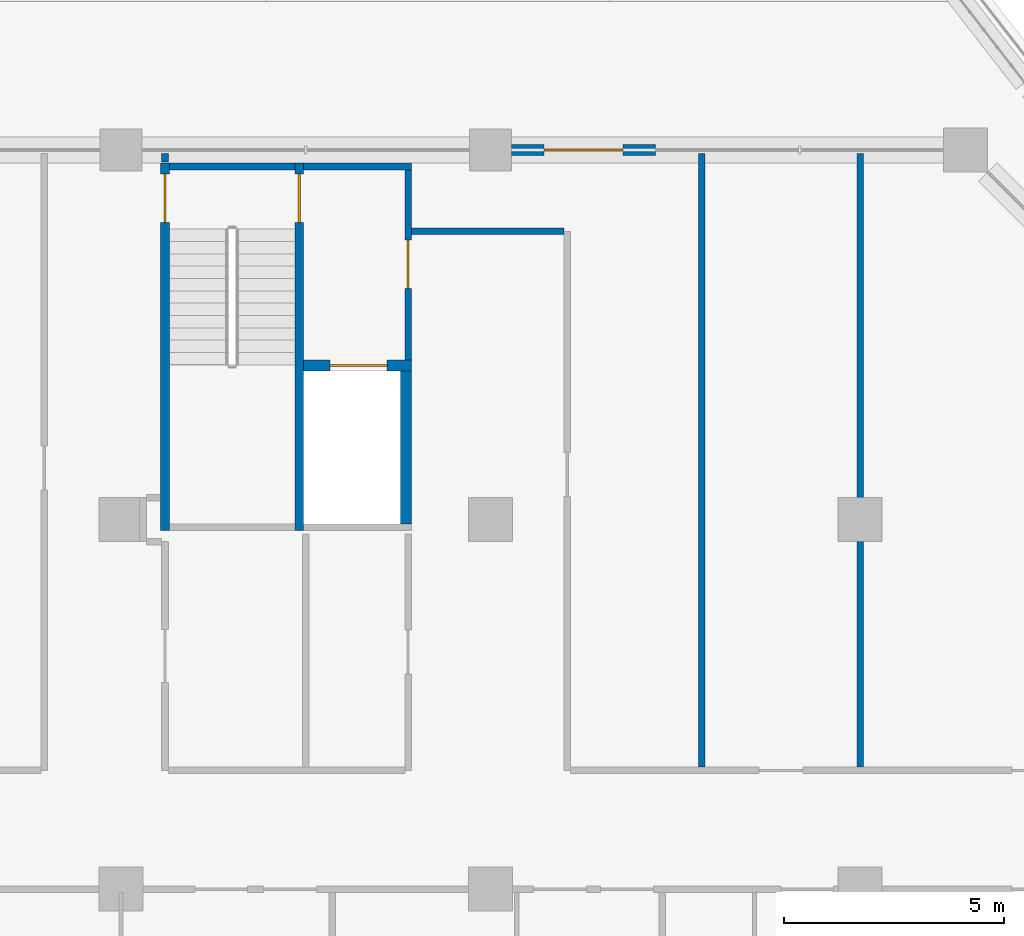
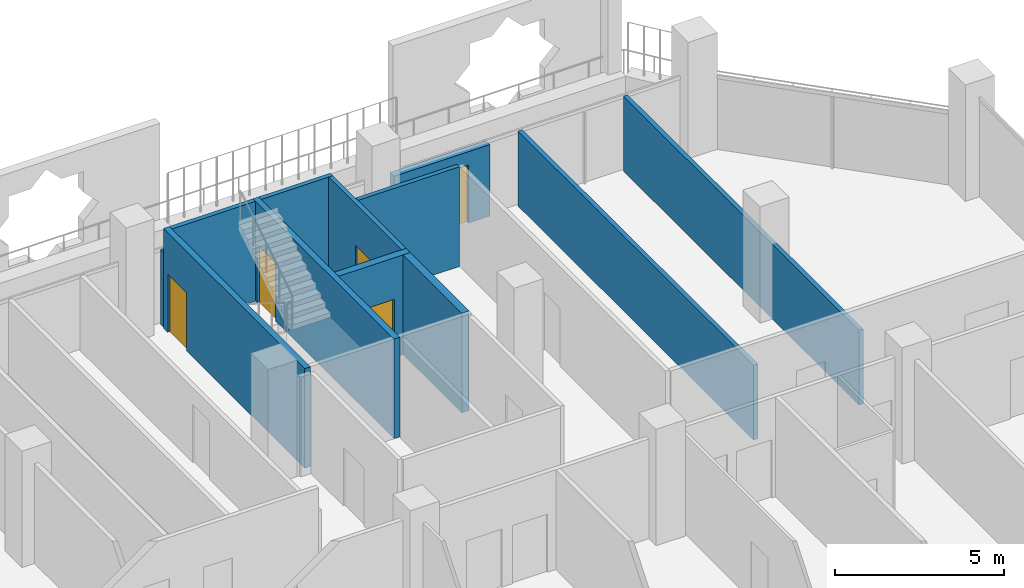
# One storey, part 14 of 22: 12 walls, 5 doors, 5 openings.
"""IFC4 building model written with IfcOpenShell, lengths in metres."""

from ifc_helpers import new_model, si_unit, direction, frame, frame_2d, origin, place, context, subcontext, project, spatial, rectangle, extrude, material, layer, layer_set, type_object, element, fill, save


model = new_model("IFC4")

# Units and contexts
model_context = context("Model", 3, precision=1e-05, world=origin(), true_north=direction((0.0, 1.0)))
body_context = subcontext(model_context, "Body", "Model", "MODEL_VIEW")
ifc_project = project(units=[si_unit("LENGTHUNIT", "METRE"), si_unit("AREAUNIT", "SQUARE_METRE"), si_unit("VOLUMEUNIT", "CUBIC_METRE"), si_unit("PLANEANGLEUNIT", "RADIAN"), si_unit("MASSUNIT", "GRAM", prefix="KILO")], contexts=[model_context])

# Site, building, storey
site_placement = place(None, origin())
site = spatial("IfcSite", under=ifc_project, at=site_placement, CompositionType="ELEMENT")
building_placement = place(site_placement, origin())
building = spatial("IfcBuilding", under=site, at=building_placement, Name="Kawkab Arch Medical Tower", CompositionType="ELEMENT")
storey_placement = place(building_placement, frame((0.0, 0.0, 183.60009765625)))
storey = spatial("IfcBuildingStorey", under=building, at=storey_placement, Name="L42", CompositionType="ELEMENT", Elevation=183.60009765625)

# Wall, opening, door
ifc_material_1 = material(Name="Gypsum board on steel studs", Category="steel")
ifc_layer_1 = layer(ifc_material_1, 0.14990234375)
ifc_layer_set_1 = layer_set([ifc_layer_1], Name="Gypsum board on steel studs")
wall_type_1 = type_object("IfcWallType", Name="Core room partition 150", PredefinedType="PARTITIONING", material=ifc_layer_set_1)
wall_1_placement = place(storey_placement, frame((48.52490234375, -4.77490234375, 0.0), z_axis=(0.0, 0.0, 1.0), x_axis=(0.0, 1.0, 0.0)))
wall_1 = element("IfcWall", 1, at=wall_1_placement, inside=storey, type_object=wall_type_1, Name="L42 core room partition", PredefinedType="PARTITIONING", context=body_context, shape_type="SweptSolid", body=[
    extrude(rectangle(XDim=4.324951171875, YDim=0.14990234375, at=frame_2d((2.16259765625, 0.0))), origin(), (0.0, 0.0, 1.0), 3.599853515625),
])
opening_1_placement = place(wall_1_placement, frame((1.625, 0.0, 0.0)))
opening_1 = element("IfcOpeningElement", 2, at=opening_1_placement, cuts=wall_1, Name="Opening FD", PredefinedType="OPENING", context=body_context, shape_type="SweptSolid", body=[
    extrude(rectangle(XDim=1.10009765625, YDim=2.10009765625, at=frame_2d((0.550048828125, 1.050048828125))), frame((0.0, 0.0849609375, 0.0), z_axis=(0.0, -1.0, 0.0), x_axis=(1.0, 0.0, 0.0)), (0.0, 0.0, 1.0), 0.169921875),
])
ifc_material_2 = material(Name="Hollow metal fire door leaf")
door_type_1 = type_object("IfcDoorType", Name="Firefighting lobby door 1100", OperationType="SINGLE_SWING_LEFT", PredefinedType="DOOR", material=ifc_material_2)
door_1_placement = place(opening_1_placement, origin())
door_1 = element("IfcDoor", 3, at=door_1_placement, inside=storey, type_object=door_type_1, Name="L42 Service lift lobby door SV1", OperationType="SINGLE_SWING_LEFT", OverallHeight=2.10009765625, OverallWidth=1.10009765625, PredefinedType="DOOR", context=body_context, shape_type="SweptSolid", body=[
    extrude(rectangle(XDim=1.10009765625, YDim=2.10009765625, at=frame_2d((0.550048828125, 1.050048828125))), frame((0.0, 0.02490234375, 0.0), z_axis=(0.0, -1.0, 0.0), x_axis=(1.0, 0.0, 0.0)), (0.0, 0.0, 1.0), 0.050048828125),
])
fill(opening_1, door_1)

ifc_material_3 = material(Name="Concrete C60/75", Category="concrete")
ifc_layer_2 = layer(ifc_material_3, 0.25)
ifc_layer_set_2 = layer_set([ifc_layer_2], Name="Concrete C60/75")
wall_type_2 = type_object("IfcWallType", Name="Core shear wall 250 C60/75", PredefinedType="SHEAR", material=ifc_layer_set_2)
wall_2_placement = place(storey_placement, frame((46.14990234375, -4.89990234375, 0.0), z_axis=(0.0, 0.0, 1.0), x_axis=(1.0, 0.0, 0.0)))
wall_2 = element("IfcWall", 4, at=wall_2_placement, inside=storey, type_object=wall_type_2, Name="L42 core shear wall", PredefinedType="SHEAR", context=body_context, shape_type="SweptSolid", body=[
    extrude(rectangle(XDim=2.4501953125, YDim=0.25, at=frame_2d((1.22509765625, 0.0))), origin(), (0.0, 0.0, 1.0), 3.599853515625),
])
opening_2_placement = place(wall_2_placement, frame((0.60009765625, 0.0, 0.0)))
opening_2 = element("IfcOpeningElement", 5, at=opening_2_placement, cuts=wall_2, Name="Opening LD2", PredefinedType="OPENING", context=body_context, shape_type="SweptSolid", body=[
    extrude(rectangle(XDim=1.300048828125, YDim=2.10009765625, at=frame_2d((0.64990234375, 1.050048828125))), frame((0.0, 0.135009765625, 0.0), z_axis=(0.0, -1.0, 0.0), x_axis=(1.0, 0.0, 0.0)), (0.0, 0.0, 1.0), 0.27001953125),
])
ifc_material_4 = material(Name="Stainless steel lift door leaf", Category="steel")
door_type_2 = type_object("IfcDoorType", Name="Lift landing door 1300", OperationType="DOUBLE_DOOR_SLIDING", PredefinedType="DOOR", material=ifc_material_4)
door_2_placement = place(opening_2_placement, origin())
door_2 = element("IfcDoor", 6, at=door_2_placement, inside=storey, type_object=door_type_2, Name="L42 Lift landing door SV1", OperationType="DOUBLE_DOOR_SLIDING", OverallHeight=2.10009765625, OverallWidth=1.300048828125, PredefinedType="DOOR", context=body_context, shape_type="SweptSolid", body=[
    extrude(rectangle(XDim=1.300048828125, YDim=2.10009765625, at=frame_2d((0.64990234375, 1.050048828125))), frame((0.0, 0.02490234375, 0.0), z_axis=(0.0, -1.0, 0.0), x_axis=(1.0, 0.0, 0.0)), (0.0, 0.0, 1.0), 0.050048828125),
])
fill(opening_2, door_2)

# Wall
wall_3_placement = place(storey_placement, frame((48.47509765625, -8.5, 0.0), z_axis=(0.0, 0.0, 1.0), x_axis=(0.0, 1.0, 0.0)))
element("IfcWall", 7, at=wall_3_placement, inside=storey, type_object=wall_type_2, Name="L42 core shear wall", PredefinedType="SHEAR", context=body_context, shape_type="SweptSolid", body=[
    extrude(rectangle(XDim=3.47509765625, YDim=0.25, at=frame_2d((1.737548828125, 0.0))), origin(), (0.0, 0.0, 1.0), 3.599853515625),
])

# Wall, opening, door
ifc_material_5 = material(Name="Bronze clad insulated wall panel")
ifc_layer_3 = layer(ifc_material_5, 0.25)
ifc_layer_set_3 = layer_set([ifc_layer_3], Name="Bronze clad insulated wall panel")
wall_type_3 = type_object("IfcWallType", Name="External wall bay 250", PredefinedType="SOLIDWALL", material=ifc_layer_set_3)
wall_4_placement = place(storey_placement, frame((54.14990234375, 0.0, 0.0), z_axis=(0.0, 0.0, 1.0), x_axis=(-1.0, 0.0, 0.0)))
wall_4 = element("IfcWall", 8, at=wall_4_placement, inside=storey, type_object=wall_type_3, Name="External wall bay L42.R11.1.3", PredefinedType="SOLIDWALL", context=body_context, shape_type="SweptSolid", body=[
    extrude(rectangle(XDim=3.27490234375, YDim=0.25, at=frame_2d((1.637451171875, 0.0))), origin(), (0.0, 0.0, 1.0), 2.579833984375),
])
opening_3_placement = place(wall_4_placement, frame((0.737548828125, 0.0, 0.0)))
opening_3 = element("IfcOpeningElement", 9, at=opening_3_placement, cuts=wall_4, Name="Opening W42-701", PredefinedType="OPENING", context=body_context, shape_type="SweptSolid", body=[
    extrude(rectangle(XDim=1.800048828125, YDim=2.10009765625, at=frame_2d((0.89990234375, 1.050048828125))), frame((0.0, 0.135009765625, 0.0), z_axis=(0.0, -1.0, 0.0), x_axis=(1.0, 0.0, 0.0)), (0.0, 0.0, 1.0), 0.27001953125),
])
ifc_material_6 = material(Name="Bronze anodised aluminium door with tinted glass", Category="aluminium")
door_type_3 = type_object("IfcDoorType", Name="Double external door 1800 x 2100", OperationType="DOUBLE_DOOR_SINGLE_SWING", PredefinedType="DOOR", material=ifc_material_6)
door_3_placement = place(opening_3_placement, origin())
door_3 = element("IfcDoor", 10, at=door_3_placement, inside=storey, type_object=door_type_3, Name="External door L42.R11.1.3", OperationType="DOUBLE_DOOR_SINGLE_SWING", OverallHeight=2.10009765625, OverallWidth=1.800048828125, PredefinedType="DOOR", context=body_context, shape_type="SweptSolid", body=[
    extrude(rectangle(XDim=1.800048828125, YDim=2.10009765625, at=frame_2d((0.89990234375, 1.050048828125))), frame((0.0, 0.02490234375, 0.0), z_axis=(0.0, -1.0, 0.0), x_axis=(1.0, 0.0, 0.0)), (0.0, 0.0, 1.0), 0.050048828125),
])
fill(opening_3, door_3)

# Walls
ifc_material_7 = material(Name="Gypsum board partition on steel studs, mineral wool", Category="steel")
ifc_layer_4 = layer(ifc_material_7, 0.14990234375)
ifc_layer_set_4 = layer_set([ifc_layer_4], Name="Gypsum board partition on steel studs, mineral wool")
wall_type_4 = type_object("IfcWallType", Name="Partition 150", PredefinedType="PARTITIONING", material=ifc_layer_set_4)
wall_5_placement = place(storey_placement, frame((48.60009765625, -1.85009765625, 0.0), z_axis=(0.0, 0.0, 1.0), x_axis=(1.0, 0.0, 0.0)))
element("IfcWall", 11, at=wall_5_placement, inside=storey, type_object=wall_type_4, Name="Partition 150 w030", PredefinedType="PARTITIONING", context=body_context, shape_type="SweptSolid", body=[
    extrude(rectangle(XDim=3.4658203125, YDim=0.14990234375, at=frame_2d((1.73291015625, 0.0))), origin(), (0.0, 0.0, 1.0), 3.599853515625),
])
wall_6_placement = place(storey_placement, frame((43.0, -0.27001953125, 0.0), z_axis=(0.0, 0.0, 1.0), x_axis=(0.0, 1.0, 0.0)))
element("IfcWall", 12, at=wall_6_placement, inside=storey, type_object=wall_type_4, Name="Partition 150 w053", PredefinedType="PARTITIONING", context=body_context, shape_type="SweptSolid", body=[
    extrude(rectangle(XDim=0.18994140625, YDim=0.14990234375, at=frame_2d((0.094970703125, 0.0))), origin(), (0.0, 0.0, 1.0), 2.699951171875),
])
for number, where, z_axis, x_axis, name in (
    (13, (55.199951171875, -14.02490234375, 0.0), (0.0, 0.0, 1.0), (0.0, 1.0, 0.0), "Partition 150 w059"),
    (14, (58.800048828125, -14.02490234375, 0.0), (0.0, 0.0, 1.0), (0.0, 1.0, 0.0), "Partition 150 w061"),
):
    element("IfcWall", number, at=place(storey_placement, frame(where, z_axis=z_axis, x_axis=x_axis)), inside=storey, type_object=wall_type_4, Name=name, PredefinedType="PARTITIONING", context=body_context, shape_type="SweptSolid", body=[
        extrude(rectangle(XDim=13.94482421875, YDim=0.14990234375, at=frame_2d((6.972412109375, 0.0))), origin(), (0.0, 0.0, 1.0), 2.699951171875),
    ])
ifc_material_8 = material(Name="Concrete C50/60", Category="concrete")
ifc_layer_5 = layer(ifc_material_8, 0.14990234375)
ifc_layer_set_5 = layer_set([ifc_layer_5], Name="Concrete C50/60")
wall_type_5 = type_object("IfcWallType", Name="Stair enclosure wall 150 C50/60", PredefinedType="SHEAR", material=ifc_layer_set_5)
wall_7_placement = place(storey_placement, frame((43.10009765625, -0.375, 0.0), z_axis=(0.0, 0.0, 1.0), x_axis=(1.0, 0.0, 0.0)))
element("IfcWall", 15, at=wall_7_placement, inside=storey, type_object=wall_type_5, Name="L42 stair enclosure wall", PredefinedType="SHEAR", context=body_context, shape_type="SweptSolid", body=[
    extrude(rectangle(XDim=2.849853515625, YDim=0.14990234375, at=frame_2d((1.4248046875, 0.0))), origin(), (0.0, 0.0, 1.0), 3.599853515625),
])
wall_8_placement = place(storey_placement, frame((46.14990234375, -0.375, 0.0), z_axis=(0.0, 0.0, 1.0), x_axis=(1.0, 0.0, 0.0)))
element("IfcWall", 16, at=wall_8_placement, inside=storey, type_object=wall_type_5, Name="L42 stair enclosure wall", PredefinedType="SHEAR", context=body_context, shape_type="SweptSolid", body=[
    extrude(rectangle(XDim=2.4501953125, YDim=0.14990234375, at=frame_2d((1.22509765625, 0.0))), origin(), (0.0, 0.0, 1.0), 3.599853515625),
])

# Wall, opening, door
ifc_material_9 = material(Name="Concrete C50/60", Category="concrete")
ifc_layer_6 = layer(ifc_material_9, 0.199951171875)
ifc_layer_set_6 = layer_set([ifc_layer_6], Name="Concrete C50/60")
wall_type_6 = type_object("IfcWallType", Name="Stair enclosure wall 200 C50/60", PredefinedType="SHEAR", material=ifc_layer_set_6)
wall_9_placement = place(storey_placement, frame((43.0, -8.64990234375, 0.0), z_axis=(0.0, 0.0, 1.0), x_axis=(0.0, 1.0, 0.0)))
wall_9 = element("IfcWall", 17, at=wall_9_placement, inside=storey, type_object=wall_type_6, Name="L42 stair enclosure wall", PredefinedType="SHEAR", context=body_context, shape_type="SweptSolid", body=[
    extrude(rectangle(XDim=8.349853515625, YDim=0.199951171875, at=frame_2d((4.1748046875, 0.0))), origin(), (0.0, 0.0, 1.0), 3.599853515625),
])
opening_4_placement = place(wall_9_placement, frame((7.0, 0.0, 0.0)))
opening_4 = element("IfcOpeningElement", 18, at=opening_4_placement, cuts=wall_9, Name="Opening SD", PredefinedType="OPENING", context=body_context, shape_type="SweptSolid", body=[
    extrude(rectangle(XDim=1.10009765625, YDim=2.10009765625, at=frame_2d((0.550048828125, 1.050048828125))), frame((0.0, 0.10986328125, 0.0), z_axis=(0.0, -1.0, 0.0), x_axis=(1.0, 0.0, 0.0)), (0.0, 0.0, 1.0), 0.219970703125),
])
ifc_material_10 = material(Name="Hollow metal fire door leaf")
door_type_4 = type_object("IfcDoorType", Name="Exit stair door 1100", OperationType="SINGLE_SWING_LEFT", PredefinedType="DOOR", material=ifc_material_10)
door_4_placement = place(opening_4_placement, frame((1.10009765625, 0.0, 0.0), z_axis=(0.0, 0.0, 1.0), x_axis=(-1.0, 0.0, 0.0)))
door_4 = element("IfcDoor", 19, at=door_4_placement, inside=storey, type_object=door_type_4, Name="L42 Exit stair ST5 door", OperationType="SINGLE_SWING_LEFT", OverallHeight=2.10009765625, OverallWidth=1.10009765625, PredefinedType="DOOR", context=body_context, shape_type="SweptSolid", body=[
    extrude(rectangle(XDim=1.10009765625, YDim=2.10009765625, at=frame_2d((0.550048828125, 1.050048828125))), frame((0.0, 0.02490234375, 0.0), z_axis=(0.0, -1.0, 0.0), x_axis=(1.0, 0.0, 0.0)), (0.0, 0.0, 1.0), 0.050048828125),
])
fill(opening_4, door_4)

wall_10_placement = place(storey_placement, frame((46.050048828125, -8.64990234375, 0.0), z_axis=(0.0, 0.0, 1.0), x_axis=(0.0, 1.0, 0.0)))
wall_10 = element("IfcWall", 20, at=wall_10_placement, inside=storey, type_object=wall_type_6, Name="L42 stair enclosure wall", PredefinedType="SHEAR", context=body_context, shape_type="SweptSolid", body=[
    extrude(rectangle(XDim=8.349853515625, YDim=0.199951171875, at=frame_2d((4.1748046875, 0.0))), origin(), (0.0, 0.0, 1.0), 3.599853515625),
])
opening_5_placement = place(wall_10_placement, frame((7.0, 0.0, 0.0)))
opening_5 = element("IfcOpeningElement", 21, at=opening_5_placement, cuts=wall_10, Name="Opening SD", PredefinedType="OPENING", context=body_context, shape_type="SweptSolid", body=[
    extrude(rectangle(XDim=1.10009765625, YDim=2.10009765625, at=frame_2d((0.550048828125, 1.050048828125))), frame((0.0, 0.10986328125, 0.0), z_axis=(0.0, -1.0, 0.0), x_axis=(1.0, 0.0, 0.0)), (0.0, 0.0, 1.0), 0.219970703125),
])
door_5_placement = place(opening_5_placement, origin())
door_5 = element("IfcDoor", 22, at=door_5_placement, inside=storey, type_object=door_type_4, Name="L42 Exit stair ST5 lobby door", OperationType="SINGLE_SWING_LEFT", OverallHeight=2.10009765625, OverallWidth=1.10009765625, PredefinedType="DOOR", context=body_context, shape_type="SweptSolid", body=[
    extrude(rectangle(XDim=1.10009765625, YDim=2.10009765625, at=frame_2d((0.550048828125, 1.050048828125))), frame((0.0, 0.02490234375, 0.0), z_axis=(0.0, -1.0, 0.0), x_axis=(1.0, 0.0, 0.0)), (0.0, 0.0, 1.0), 0.050048828125),
])
fill(opening_5, door_5)

save(model, "model.ifc")
